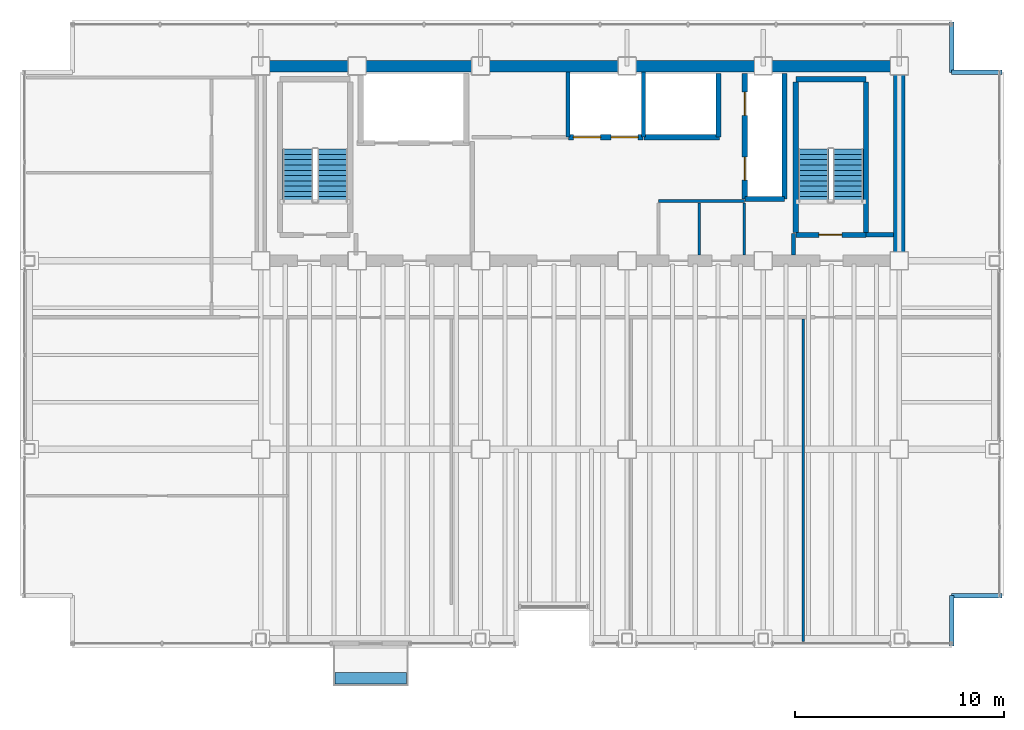
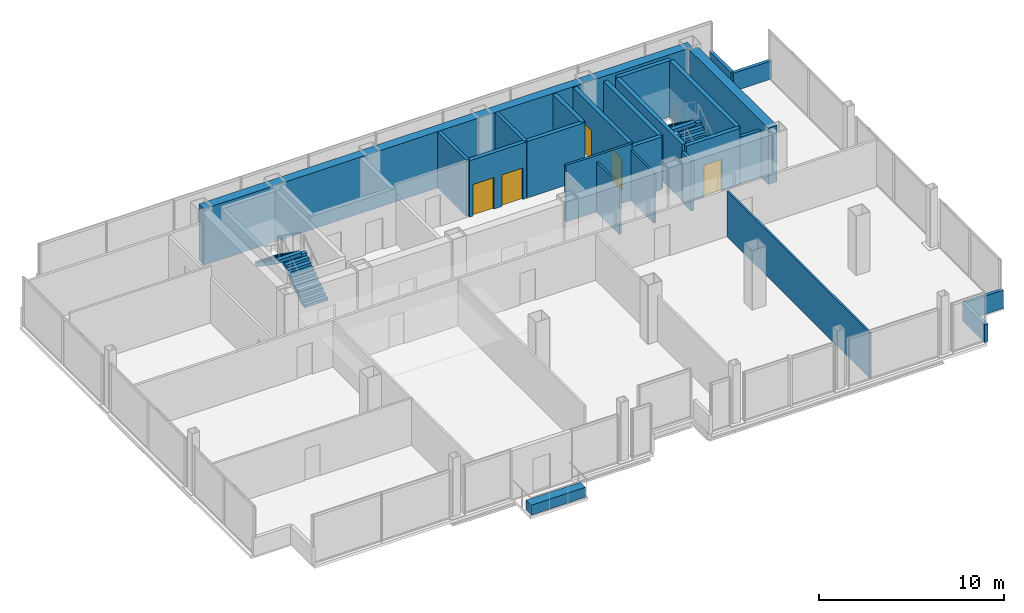
# One storey, part 19 of 20: 24 walls, 5 doors, 4 stair flights, 1 discrete accessory, 5 openings, 2 elements without a shape of their own.
"""IFC4 building model written with IfcOpenShell, lengths in metres."""

from ifc_helpers import new_model, si_unit, direction, frame, frame_2d, origin, origin_2d, place, context, subcontext, project, spatial, polyline, rectangle, outline, extrude, material, layer, layer_set, type_object, element, fill, aggregate, save


model = new_model("IFC4")

# Units and contexts
model_context = context("Model", 3, precision=1e-05, world=origin(), true_north=direction((0.0, 1.0)))
body_context = subcontext(model_context, "Body", "Model", "MODEL_VIEW")
ifc_project = project(units=[si_unit("LENGTHUNIT", "METRE"), si_unit("AREAUNIT", "SQUARE_METRE"), si_unit("VOLUMEUNIT", "CUBIC_METRE"), si_unit("PLANEANGLEUNIT", "RADIAN"), si_unit("MASSUNIT", "GRAM", prefix="KILO")], contexts=[model_context])

# Site, building, storey
site_placement = place(None, origin())
site = spatial("IfcSite", under=ifc_project, at=site_placement, CompositionType="ELEMENT")
building_placement = place(site_placement, origin())
building = spatial("IfcBuilding", under=site, at=building_placement, Name="Noeulbin Bourse Tower", CompositionType="ELEMENT")
storey_placement = place(building_placement, frame((0.0, 0.0, 118.800048828125)))
storey = spatial("IfcBuildingStorey", under=building, at=storey_placement, Name="L29", CompositionType="ELEMENT", Elevation=118.800048828125)

# Walls
ifc_material_1 = material(Name="Concrete C60/75", Category="concrete")
ifc_layer_1 = layer(ifc_material_1, 0.550048828125)
ifc_layer_set_1 = layer_set([ifc_layer_1], Name="Concrete C60/75")
wall_type_1 = type_object("IfcWallType", Name="WAL-CORE-550", PredefinedType="SHEAR", material=ifc_layer_set_1)
wall_1_placement = place(storey_placement, frame((13.5, 38.300048828125, 0.0), z_axis=(0.0, 0.0, 1.0), x_axis=(1.0, 0.0, 0.0)))
element("IfcWall", 1, at=wall_1_placement, inside=storey, type_object=wall_type_1, Name="Rear Core North Shear Wall L29", PredefinedType="SHEAR", context=body_context, shape_type="SweptSolid", body=[
    extrude(rectangle(XDim=30.5, YDim=0.550048828125, at=frame_2d((15.25, 0.0))), origin(), (0.0, 0.0, 1.0), 3.719970703125),
])
wall_2_placement = place(storey_placement, frame((44.0, 29.35009765625, 0.0), z_axis=(0.0, 0.0, 1.0), x_axis=(0.0, 1.0, 0.0)))
element("IfcWall", 2, at=wall_2_placement, inside=storey, type_object=wall_type_1, Name="Rear Core East Shear Wall L29", PredefinedType="SHEAR", context=body_context, shape_type="SweptSolid", body=[
    extrude(rectangle(XDim=8.599853515625, YDim=0.550048828125, at=frame_2d((4.2998046875, 0.0))), origin(), (0.0, 0.0, 1.0), 3.719970703125),
])
ifc_material_2 = material(Name="Concrete C40/50", Category="concrete")
ifc_layer_2 = layer(ifc_material_2, 0.199951171875)
ifc_layer_set_2 = layer_set([ifc_layer_2], Name="Concrete C40/50")
wall_type_2 = type_object("IfcWallType", Name="WAL-FIRE-200", PredefinedType="STANDARD", material=ifc_layer_set_2)
wall_3_placement = place(storey_placement, frame((42.39990234375, 30.239990234375, 0.0), z_axis=(0.0, 0.0, 1.0), x_axis=(1.0, 0.0, 0.0)))
element("IfcWall", 3, at=wall_3_placement, inside=storey, type_object=wall_type_2, Name="Interior Partition Wall L29-01", PredefinedType="STANDARD", context=body_context, shape_type="SweptSolid", body=[
    extrude(rectangle(XDim=1.315185546875, YDim=0.199951171875, at=frame_2d((0.65771484375, 0.0))), origin(), (0.0, 0.0, 1.0), 3.099853515625),
])
wall_4_placement = place(storey_placement, frame((38.949951171875, 29.284912109375, 0.0), z_axis=(0.0, 0.0, 1.0), x_axis=(0.0, 1.0, 0.0)))
element("IfcWall", 4, at=wall_4_placement, inside=storey, type_object=wall_type_2, Name="Interior Partition Wall L29-09", PredefinedType="STANDARD", context=body_context, shape_type="SweptSolid", body=[
    extrude(rectangle(XDim=1.01513671875, YDim=0.199951171875, at=frame_2d((0.507568359375, 0.0))), origin(), (0.0, 0.0, 1.0), 3.300048828125),
])
ifc_layer_3 = layer(ifc_material_2, 0.199951171875)
ifc_layer_set_3 = layer_set([ifc_layer_3], Name="Concrete C40/50")
wall_type_3 = type_object("IfcWallType", Name="WAL-PAR-200", PredefinedType="PARAPET", material=ifc_layer_set_3)
for number, where, z_axis, x_axis, name in (
    (5, (46.5, 10.60009765625, 0.0), (0.0, 0.0, 1.0), (0.0, 1.0, 0.0), "Corner Notch Parapet L29-SE1"),
    (6, (46.5, 13.0, 0.0), (0.0, 0.0, 1.0), (1.0, 0.0, 0.0), "Corner Notch Parapet L29-SE2"),
    (7, (46.5, 40.39990234375, 0.0), (0.0, 0.0, 1.0), (0.0, -1.0, 0.0), "Corner Notch Parapet L29-NE1"),
    (8, (46.5, 38.0, 0.0), (0.0, 0.0, 1.0), (1.0, 0.0, 0.0), "Corner Notch Parapet L29-NE2"),
):
    element("IfcWall", number, at=place(storey_placement, frame(where, z_axis=z_axis, x_axis=x_axis)), inside=storey, type_object=wall_type_3, Name=name, PredefinedType="PARAPET", context=body_context, shape_type="SweptSolid", body=[
        extrude(rectangle(XDim=2.39990234375, YDim=0.199951171875, at=frame_2d((1.199951171875, 0.0))), origin(), (0.0, 0.0, 1.0), 1.199951171875),
    ])
ifc_material_3 = material(Name="Steel Stud Gypsum Partition", Category="steel")
ifc_layer_4 = layer(ifc_material_3, 0.1201171875)
ifc_layer_set_4 = layer_set([ifc_layer_4], Name="Steel Stud Gypsum Partition")
wall_type_4 = type_object("IfcWallType", Name="WAL-PRT-120", PredefinedType="PARTITIONING", material=ifc_layer_set_4)
for number, where, z_axis, x_axis, name in (
    (9, (36.60009765625, 29.284912109375, 0.0), (0.0, 0.0, 1.0), (0.0, 1.0, 0.0), "Interior Partition Wall L29-12"),
    (10, (34.449951171875, 29.284912109375, 0.0), (0.0, 0.0, 1.0), (0.0, 1.0, 0.0), "Interior Partition Wall L29-13"),
):
    element("IfcWall", number, at=place(storey_placement, frame(where, z_axis=z_axis, x_axis=x_axis)), inside=storey, type_object=wall_type_4, Name=name, PredefinedType="PARTITIONING", context=body_context, shape_type="SweptSolid", body=[
        extrude(rectangle(XDim=2.47998046875, YDim=0.1201171875, at=frame_2d((1.239990234375, 0.0))), origin(), (0.0, 0.0, 1.0), 3.300048828125),
    ])
wall_5_placement = place(storey_placement, frame((39.39990234375, 10.81005859375, 0.0), z_axis=(0.0, 0.0, 1.0), x_axis=(0.0, 1.0, 0.0)))
element("IfcWall", 11, at=wall_5_placement, inside=storey, type_object=wall_type_4, Name="Interior Partition Wall L29-18", PredefinedType="PARTITIONING", context=body_context, shape_type="SweptSolid", body=[
    extrude(rectangle(XDim=15.405029296875, YDim=0.1201171875, at=frame_2d((7.70263671875, 0.0))), origin(), (0.0, 0.0, 1.0), 3.0),
])
ifc_material_4 = material(Name="Steel Stud Acoustic Gypsum Board", Category="steel")
ifc_layer_5 = layer(ifc_material_4, 0.14990234375)
ifc_layer_set_5 = layer_set([ifc_layer_5], Name="Steel Stud Acoustic Gypsum Board")
wall_type_5 = type_object("IfcWallType", Name="WAL-PRT-150", PredefinedType="PARTITIONING", material=ifc_layer_set_5)
wall_6_placement = place(storey_placement, frame((32.5, 31.85009765625, 0.0), z_axis=(0.0, 0.0, 1.0), x_axis=(1.0, 0.0, 0.0)))
element("IfcWall", 12, at=wall_6_placement, inside=storey, type_object=wall_type_5, Name="Interior Partition Wall L29-03", PredefinedType="PARTITIONING", context=body_context, shape_type="SweptSolid", body=[
    extrude(rectangle(XDim=4.10009765625, YDim=0.14990234375, at=frame_2d((2.050048828125, 0.0))), origin(), (0.0, 0.0, 1.0), 3.719970703125),
])

# Wall, opening, door
ifc_layer_6 = layer(ifc_material_2, 0.25)
ifc_layer_set_6 = layer_set([ifc_layer_6], Name="Concrete C40/50")
wall_type_6 = type_object("IfcWallType", Name="WAL-SHFT-250", PredefinedType="STANDARD", material=ifc_layer_set_6)
wall_7_placement = place(storey_placement, frame((39.06005859375, 30.235107421875, 0.0), z_axis=(0.0, 0.0, 1.0), x_axis=(1.0, 0.0, 0.0)))
wall_7 = element("IfcWall", 13, at=wall_7_placement, inside=storey, type_object=wall_type_6, Name="Stair ST-2 South Shaft Wall L29", PredefinedType="STANDARD", context=body_context, shape_type="SweptSolid", body=[
    extrude(rectangle(XDim=3.33984375, YDim=0.25, at=frame_2d((1.669921875, 0.0))), origin(), (0.0, 0.0, 1.0), 3.719970703125),
])
opening_1_placement = place(wall_7_placement, frame((1.10009765625, 0.0, 0.0)))
opening_1 = element("IfcOpeningElement", 14, at=opening_1_placement, cuts=wall_7, Name="Opening FD-11", PredefinedType="OPENING", context=body_context, shape_type="SweptSolid", body=[
    extrude(rectangle(XDim=1.10009765625, YDim=2.080078125, at=frame_2d((0.550048828125, 1.0400390625))), frame((0.0, 0.135009765625, 0.0), z_axis=(0.0, -1.0, 0.0), x_axis=(1.0, 0.0, 0.0)), (0.0, 0.0, 1.0), 0.27001953125),
])
ifc_material_5 = material(Name="Fire-Rated Insulated Steel", Category="steel")
door_type_1 = type_object("IfcDoorType", Name="DR-FD60-1100", OperationType="SINGLE_SWING_LEFT", PredefinedType="DOOR", material=ifc_material_5)
door_1_placement = place(opening_1_placement, origin())
door_1 = element("IfcDoor", 15, at=door_1_placement, inside=storey, type_object=door_type_1, Name="Protected Stair Entry Door ST2-L29", OperationType="SINGLE_SWING_LEFT", OverallHeight=2.080078125, OverallWidth=1.10009765625, PredefinedType="DOOR", context=body_context, shape_type="SweptSolid", body=[
    extrude(rectangle(XDim=1.10009765625, YDim=2.080078125, at=frame_2d((0.550048828125, 1.0400390625))), frame((0.0, 0.02490234375, 0.0), z_axis=(0.0, -1.0, 0.0), x_axis=(1.0, 0.0, 0.0)), (0.0, 0.0, 1.0), 0.050048828125),
])
fill(opening_1, door_1)

# Walls
wall_8_placement = place(storey_placement, frame((39.06005859375, 37.6689453125, 0.0), z_axis=(0.0, 0.0, 1.0), x_axis=(1.0, 0.0, 0.0)))
element("IfcWall", 16, at=wall_8_placement, inside=storey, type_object=wall_type_6, Name="Stair ST-2 North Shaft Wall L29", PredefinedType="STANDARD", context=body_context, shape_type="SweptSolid", body=[
    extrude(rectangle(XDim=3.33984375, YDim=0.25, at=frame_2d((1.669921875, 0.0))), origin(), (0.0, 0.0, 1.0), 3.719970703125),
])
for number, where, z_axis, x_axis, name in (
    (17, (39.054931640625, 30.360107421875, 0.0), (0.0, 0.0, 1.0), (0.0, 1.0, 0.0), "Stair ST-2 West Shaft Wall L29"),
    (18, (42.405029296875, 30.360107421875, 0.0), (0.0, 0.0, 1.0), (0.0, 1.0, 0.0), "Stair ST-2 East Shaft Wall L29"),
):
    element("IfcWall", number, at=place(storey_placement, frame(where, z_axis=z_axis, x_axis=x_axis)), inside=storey, type_object=wall_type_6, Name=name, PredefinedType="STANDARD", context=body_context, shape_type="SweptSolid", body=[
        extrude(rectangle(XDim=7.183837890625, YDim=0.25, at=frame_2d((3.591796875, 0.0))), origin(), (0.0, 0.0, 1.0), 3.719970703125),
    ])

# Wall, openings, doors
wall_9_placement = place(storey_placement, frame((36.6201171875, 31.949951171875, 0.0), z_axis=(0.0, 0.0, 1.0), x_axis=(0.0, 1.0, 0.0)))
wall_9 = element("IfcWall", 19, at=wall_9_placement, inside=storey, type_object=wall_type_6, Name="Service Lift Shaft Wall L29", PredefinedType="STANDARD", context=body_context, shape_type="SweptSolid", body=[
    extrude(rectangle(XDim=6.0, YDim=0.25, at=frame_2d((3.0, 0.0))), origin(), (0.0, 0.0, 1.0), 3.719970703125),
])
opening_2_placement = place(wall_9_placement, frame((0.89990234375, 0.0, 0.0)))
opening_2 = element("IfcOpeningElement", 20, at=opening_2_placement, cuts=wall_9, Name="Opening LD-11", PredefinedType="OPENING", context=body_context, shape_type="SweptSolid", body=[
    extrude(rectangle(XDim=1.10009765625, YDim=2.080078125, at=frame_2d((0.550048828125, 1.0400390625))), frame((0.0, 0.135009765625, 0.0), z_axis=(0.0, -1.0, 0.0), x_axis=(1.0, 0.0, 0.0)), (0.0, 0.0, 1.0), 0.27001953125),
])
opening_3_placement = place(wall_9_placement, frame((4.0, 0.0, 0.0)))
opening_3 = element("IfcOpeningElement", 21, at=opening_3_placement, cuts=wall_9, Name="Opening LD-11", PredefinedType="OPENING", context=body_context, shape_type="SweptSolid", body=[
    extrude(rectangle(XDim=1.10009765625, YDim=2.080078125, at=frame_2d((0.550048828125, 1.0400390625))), frame((0.0, 0.135009765625, 0.0), z_axis=(0.0, -1.0, 0.0), x_axis=(1.0, 0.0, 0.0)), (0.0, 0.0, 1.0), 0.27001953125),
])
ifc_material_6 = material(Name="Brushed Stainless Steel 316", Category="steel")
door_type_2 = type_object("IfcDoorType", Name="DR-LIFT-1100", OperationType="SLIDING_TO_LEFT", PredefinedType="DOOR", material=ifc_material_6)
door_2_placement = place(opening_2_placement, origin())
door_2 = element("IfcDoor", 22, at=door_2_placement, inside=storey, type_object=door_type_2, Name="Lift Landing Door LD-EL-01-L29", OperationType="SLIDING_TO_LEFT", OverallHeight=2.080078125, OverallWidth=1.10009765625, PredefinedType="DOOR", context=body_context, shape_type="SweptSolid", body=[
    extrude(rectangle(XDim=1.10009765625, YDim=2.080078125, at=frame_2d((0.550048828125, 1.0400390625))), frame((0.0, 0.02490234375, 0.0), z_axis=(0.0, -1.0, 0.0), x_axis=(1.0, 0.0, 0.0)), (0.0, 0.0, 1.0), 0.050048828125),
])
fill(opening_2, door_2)
door_3_placement = place(opening_3_placement, origin())
door_3 = element("IfcDoor", 23, at=door_3_placement, inside=storey, type_object=door_type_2, Name="Lift Landing Door LD-SV-01-L29", OperationType="SLIDING_TO_LEFT", OverallHeight=2.080078125, OverallWidth=1.10009765625, PredefinedType="DOOR", context=body_context, shape_type="SweptSolid", body=[
    extrude(rectangle(XDim=1.10009765625, YDim=2.080078125, at=frame_2d((0.550048828125, 1.0400390625))), frame((0.0, 0.02490234375, 0.0), z_axis=(0.0, -1.0, 0.0), x_axis=(1.0, 0.0, 0.0)), (0.0, 0.0, 1.0), 0.050048828125),
])
fill(opening_3, door_3)

# Walls
wall_10_placement = place(storey_placement, frame((38.52001953125, 31.949951171875, 0.0), z_axis=(0.0, 0.0, 1.0), x_axis=(0.0, 1.0, 0.0)))
element("IfcWall", 24, at=wall_10_placement, inside=storey, type_object=wall_type_6, Name="Service Lift East Shaft Wall L29", PredefinedType="STANDARD", context=body_context, shape_type="SweptSolid", body=[
    extrude(rectangle(XDim=6.0, YDim=0.25, at=frame_2d((3.0, 0.0))), origin(), (0.0, 0.0, 1.0), 3.47998046875),
])
wall_11_placement = place(storey_placement, frame((36.6201171875, 31.949951171875, 0.0), z_axis=(0.0, 0.0, 1.0), x_axis=(1.0, 0.0, 0.0)))
element("IfcWall", 25, at=wall_11_placement, inside=storey, type_object=wall_type_6, Name="Service Lift South Shaft Wall L29", PredefinedType="STANDARD", context=body_context, shape_type="SweptSolid", body=[
    extrude(rectangle(XDim=1.89990234375, YDim=0.25, at=frame_2d((0.949951171875, 0.0))), origin(), (0.0, 0.0, 1.0), 3.47998046875),
])
wall_12_placement = place(storey_placement, frame((35.360107421875, 34.89990234375, 0.0), z_axis=(0.0, 0.0, 1.0), x_axis=(0.0, 1.0, 0.0)))
element("IfcWall", 26, at=wall_12_placement, inside=storey, type_object=wall_type_6, Name="High-Rise Lift East Shaft Wall L29", PredefinedType="STANDARD", context=body_context, shape_type="SweptSolid", body=[
    extrude(rectangle(XDim=3.050048828125, YDim=0.25, at=frame_2d((1.52490234375, 0.0))), origin(), (0.0, 0.0, 1.0), 3.719970703125),
])

# Wall, openings, doors
wall_13_placement = place(storey_placement, frame((28.199951171875, 34.89990234375, 0.0), z_axis=(0.0, 0.0, 1.0), x_axis=(1.0, 0.0, 0.0)))
wall_13 = element("IfcWall", 27, at=wall_13_placement, inside=storey, type_object=wall_type_6, Name="Mid-Rise Lift Bank Front L29", PredefinedType="STANDARD", context=body_context, shape_type="SweptSolid", body=[
    extrude(rectangle(XDim=3.550048828125, YDim=0.25, at=frame_2d((1.77490234375, 0.0))), origin(), (0.0, 0.0, 1.0), 3.719970703125),
])
opening_4_placement = place(wall_13_placement, frame((0.22998046875, 0.0, 0.0)))
opening_4 = element("IfcOpeningElement", 28, at=opening_4_placement, cuts=wall_13, Name="Opening LD-13", PredefinedType="OPENING", context=body_context, shape_type="SweptSolid", body=[
    extrude(rectangle(XDim=1.300048828125, YDim=2.080078125, at=frame_2d((0.64990234375, 1.0400390625))), frame((0.0, 0.135009765625, 0.0), z_axis=(0.0, -1.0, 0.0), x_axis=(1.0, 0.0, 0.0)), (0.0, 0.0, 1.0), 0.27001953125),
])
opening_5_placement = place(wall_13_placement, frame((2.030029296875, 0.0, 0.0)))
opening_5 = element("IfcOpeningElement", 29, at=opening_5_placement, cuts=wall_13, Name="Opening LD-13", PredefinedType="OPENING", context=body_context, shape_type="SweptSolid", body=[
    extrude(rectangle(XDim=1.300048828125, YDim=2.080078125, at=frame_2d((0.64990234375, 1.0400390625))), frame((0.0, 0.135009765625, 0.0), z_axis=(0.0, -1.0, 0.0), x_axis=(1.0, 0.0, 0.0)), (0.0, 0.0, 1.0), 0.27001953125),
])
door_type_3 = type_object("IfcDoorType", Name="DR-LIFT-1300", OperationType="DOUBLE_DOOR_SLIDING", PredefinedType="DOOR", material=ifc_material_6)
door_4_placement = place(opening_4_placement, origin())
door_4 = element("IfcDoor", 30, at=door_4_placement, inside=storey, type_object=door_type_3, Name="Lift Landing Door LD-PL-M1-L29", OperationType="DOUBLE_DOOR_SLIDING", OverallHeight=2.080078125, OverallWidth=1.300048828125, PredefinedType="DOOR", context=body_context, shape_type="SweptSolid", body=[
    extrude(rectangle(XDim=1.300048828125, YDim=2.080078125, at=frame_2d((0.64990234375, 1.0400390625))), frame((0.0, 0.02490234375, 0.0), z_axis=(0.0, -1.0, 0.0), x_axis=(1.0, 0.0, 0.0)), (0.0, 0.0, 1.0), 0.050048828125),
])
fill(opening_4, door_4)
door_5_placement = place(opening_5_placement, origin())
door_5 = element("IfcDoor", 31, at=door_5_placement, inside=storey, type_object=door_type_3, Name="Lift Landing Door LD-PL-M2-L29", OperationType="DOUBLE_DOOR_SLIDING", OverallHeight=2.080078125, OverallWidth=1.300048828125, PredefinedType="DOOR", context=body_context, shape_type="SweptSolid", body=[
    extrude(rectangle(XDim=1.300048828125, YDim=2.080078125, at=frame_2d((0.64990234375, 1.0400390625))), frame((0.0, 0.02490234375, 0.0), z_axis=(0.0, -1.0, 0.0), x_axis=(1.0, 0.0, 0.0)), (0.0, 0.0, 1.0), 0.050048828125),
])
fill(opening_5, door_5)

# Walls
wall_14_placement = place(storey_placement, frame((31.800048828125, 34.89990234375, 0.0), z_axis=(0.0, 0.0, 1.0), x_axis=(1.0, 0.0, 0.0)))
element("IfcWall", 32, at=wall_14_placement, inside=storey, type_object=wall_type_6, Name="High-Rise Lift Bank Front L29", PredefinedType="STANDARD", context=body_context, shape_type="SweptSolid", body=[
    extrude(rectangle(XDim=3.599853515625, YDim=0.25, at=frame_2d((1.7998046875, 0.0))), origin(), (0.0, 0.0, 1.0), 3.719970703125),
])
for number, where, z_axis, x_axis, name in (
    (33, (28.179931640625, 34.89990234375, 0.0), (0.0, 0.0, 1.0), (0.0, 1.0, 0.0), "Hoistway Side Shaft Wall L29-PLMW"),
    (34, (31.780029296875, 34.89990234375, 0.0), (0.0, 0.0, 1.0), (0.0, 1.0, 0.0), "Hoistway Side Shaft Wall L29-PLHW"),
):
    element("IfcWall", number, at=place(storey_placement, frame(where, z_axis=z_axis, x_axis=x_axis)), inside=storey, type_object=wall_type_6, Name=name, PredefinedType="STANDARD", context=body_context, shape_type="SweptSolid", body=[
        extrude(rectangle(XDim=3.1201171875, YDim=0.199951171875, at=frame_2d((1.56005859375, 0.0))), origin(), (0.0, 0.0, 1.0), 3.719970703125),
    ])

# Stair, stair flights
stair_type = type_object("IfcStairType", Name="STR-CORE-1560", PredefinedType="HALF_TURN_STAIR", material=ifc_material_2)
stair_1_placement = place(storey_placement, origin())
stair_1 = element("IfcStair", 35, at=stair_1_placement, inside=storey, type_object=stair_type, Name="L29 ST-1", PredefinedType="HALF_TURN_STAIR")
stair_flight_type = type_object("IfcStairFlightType", Name="SFL-CORE-1560", PredefinedType="STRAIGHT", material=ifc_material_2)
stair_flight_1_placement = place(storey_placement, frame((16.925048828125, 31.81005859375, 0.0), z_axis=(0.0, 0.0, 1.0), x_axis=(0.0, 1.0, 0.0)))
stair_flight_1 = element("IfcStairFlight", 36, at=stair_flight_1_placement, type_object=stair_flight_type, Name="ST-1 flight 1", NumberOfRisers=11, NumberOfTreads=10, PredefinedType="STRAIGHT", RiserHeight=0.177272727, TreadLength=0.252, context=body_context, shape_type="SweptSolid", body=[
    extrude(outline(polyline([(0.0, 0.0), (0.0, 0.17724609375), (0.251953125, 0.17724609375), (0.251953125, 0.3544921875), (0.50390625, 0.3544921875), (0.50390625, 0.53173828125), (0.756103515625, 0.53173828125), (0.756103515625, 0.708984375), (1.008056640625, 0.708984375), (1.008056640625, 0.886474609375), (1.260009765625, 0.886474609375), (1.260009765625, 1.063720703125), (1.511962890625, 1.063720703125), (1.511962890625, 1.240966796875), (1.763916015625, 1.240966796875), (1.763916015625, 1.418212890625), (2.01611328125, 1.418212890625), (2.01611328125, 1.595458984375), (2.26806640625, 1.595458984375), (2.26806640625, 1.772705078125), (2.52001953125, 1.772705078125), (2.52001953125, 1.949951171875), (2.52001953125, 1.552734375), (0.312744140625, 0.0), (0.0, 0.0)])), frame((0.0, 0.72509765625, 0.0), z_axis=(0.0, -1.0, 0.0), x_axis=(1.0, 0.0, 0.0)), (0.0, 0.0, 1.0), 1.449951171875),
])
stair_flight_2_placement = place(storey_placement, frame((15.27490234375, 34.330078125, 1.949951171875), z_axis=(0.0, 0.0, 1.0), x_axis=(0.0, -1.0, 0.0)))
stair_flight_2 = element("IfcStairFlight", 37, at=stair_flight_2_placement, type_object=stair_flight_type, Name="ST-1 flight 2", NumberOfRisers=11, NumberOfTreads=10, PredefinedType="STRAIGHT", RiserHeight=0.177272727, TreadLength=0.252, context=body_context, shape_type="SweptSolid", body=[
    extrude(outline(polyline([(0.0, 0.0), (0.0, 0.17724609375), (0.251953125, 0.17724609375), (0.251953125, 0.3544921875), (0.50390625, 0.3544921875), (0.50390625, 0.53173828125), (0.756103515625, 0.53173828125), (0.756103515625, 0.708984375), (1.008056640625, 0.708984375), (1.008056640625, 0.886474609375), (1.260009765625, 0.886474609375), (1.260009765625, 1.063720703125), (1.511962890625, 1.063720703125), (1.511962890625, 1.240966796875), (1.763916015625, 1.240966796875), (1.763916015625, 1.418212890625), (2.01611328125, 1.418212890625), (2.01611328125, 1.595458984375), (2.26806640625, 1.595458984375), (2.26806640625, 1.772705078125), (2.52001953125, 1.772705078125), (2.52001953125, 1.949951171875), (2.52001953125, 1.552734375), (0.312744140625, 0.0), (0.0, 0.0)])), frame((0.0, 0.72509765625, 0.0), z_axis=(0.0, -1.0, 0.0), x_axis=(1.0, 0.0, 0.0)), (0.0, 0.0, 1.0), 1.449951171875),
])
aggregate(stair_1, [stair_flight_1, stair_flight_2])

stair_2_placement = place(storey_placement, origin())
stair_2 = element("IfcStair", 38, at=stair_2_placement, inside=storey, type_object=stair_type, Name="L29 ST-2", PredefinedType="HALF_TURN_STAIR")
stair_flight_3_placement = place(storey_placement, frame((41.554931640625, 31.81005859375, 0.0), z_axis=(0.0, 0.0, 1.0), x_axis=(0.0, 1.0, 0.0)))
stair_flight_3 = element("IfcStairFlight", 39, at=stair_flight_3_placement, type_object=stair_flight_type, Name="ST-2 flight 1", NumberOfRisers=11, NumberOfTreads=10, PredefinedType="STRAIGHT", RiserHeight=0.177272727, TreadLength=0.252, context=body_context, shape_type="SweptSolid", body=[
    extrude(outline(polyline([(0.0, 0.0), (0.0, 0.17724609375), (0.251953125, 0.17724609375), (0.251953125, 0.3544921875), (0.50390625, 0.3544921875), (0.50390625, 0.53173828125), (0.756103515625, 0.53173828125), (0.756103515625, 0.708984375), (1.008056640625, 0.708984375), (1.008056640625, 0.886474609375), (1.260009765625, 0.886474609375), (1.260009765625, 1.063720703125), (1.511962890625, 1.063720703125), (1.511962890625, 1.240966796875), (1.763916015625, 1.240966796875), (1.763916015625, 1.418212890625), (2.01611328125, 1.418212890625), (2.01611328125, 1.595458984375), (2.26806640625, 1.595458984375), (2.26806640625, 1.772705078125), (2.52001953125, 1.772705078125), (2.52001953125, 1.949951171875), (2.52001953125, 1.552734375), (0.312744140625, 0.0), (0.0, 0.0)])), frame((0.0, 0.72509765625, 0.0), z_axis=(0.0, -1.0, 0.0), x_axis=(1.0, 0.0, 0.0)), (0.0, 0.0, 1.0), 1.449951171875),
])
stair_flight_4_placement = place(storey_placement, frame((39.905029296875, 34.330078125, 1.949951171875), z_axis=(0.0, 0.0, 1.0), x_axis=(0.0, -1.0, 0.0)))
stair_flight_4 = element("IfcStairFlight", 40, at=stair_flight_4_placement, type_object=stair_flight_type, Name="ST-2 flight 2", NumberOfRisers=11, NumberOfTreads=10, PredefinedType="STRAIGHT", RiserHeight=0.177272727, TreadLength=0.252, context=body_context, shape_type="SweptSolid", body=[
    extrude(outline(polyline([(0.0, 0.0), (0.0, 0.17724609375), (0.251953125, 0.17724609375), (0.251953125, 0.3544921875), (0.50390625, 0.3544921875), (0.50390625, 0.53173828125), (0.756103515625, 0.53173828125), (0.756103515625, 0.708984375), (1.008056640625, 0.708984375), (1.008056640625, 0.886474609375), (1.260009765625, 0.886474609375), (1.260009765625, 1.063720703125), (1.511962890625, 1.063720703125), (1.511962890625, 1.240966796875), (1.763916015625, 1.240966796875), (1.763916015625, 1.418212890625), (2.01611328125, 1.418212890625), (2.01611328125, 1.595458984375), (2.26806640625, 1.595458984375), (2.26806640625, 1.772705078125), (2.52001953125, 1.772705078125), (2.52001953125, 1.949951171875), (2.52001953125, 1.552734375), (0.312744140625, 0.0), (0.0, 0.0)])), frame((0.0, 0.72509765625, 0.0), z_axis=(0.0, -1.0, 0.0), x_axis=(1.0, 0.0, 0.0)), (0.0, 0.0, 1.0), 1.449951171875),
])
aggregate(stair_2, [stair_flight_3, stair_flight_4])

# Discrete accessory
ifc_material_7 = material(Name="Architectural GFRC Concrete C40/50", Category="concrete")
ifc_layer_7 = layer(ifc_material_7, 0.64990234375)
ifc_layer_set_7 = layer_set([ifc_layer_7], Name="Architectural GFRC Concrete C40/50")
discrete_accessory_type = type_object("IfcDiscreteAccessoryType", Name="PLANTER-BOX-3600", PredefinedType="USERDEFINED", material=ifc_layer_set_7)
discrete_accessory_placement = place(storey_placement, frame((18.75, 9.06005859375, 0.0), z_axis=(0.0, 0.0, 1.0), x_axis=(1.0, 0.0, 0.0)))
element("IfcDiscreteAccessory", 41, at=discrete_accessory_placement, inside=storey, type_object=discrete_accessory_type, Name="Integrated Balcony Tree Planter Box L29", ObjectType="PLANTER", PredefinedType="USERDEFINED", context=body_context, shape_type="SweptSolid", body=[
    extrude(rectangle(XDim=3.39990234375, YDim=0.550048828125, at=origin_2d()), origin(), (0.0, 0.0, 1.0), 0.64990234375),
])

save(model, "model.ifc")
